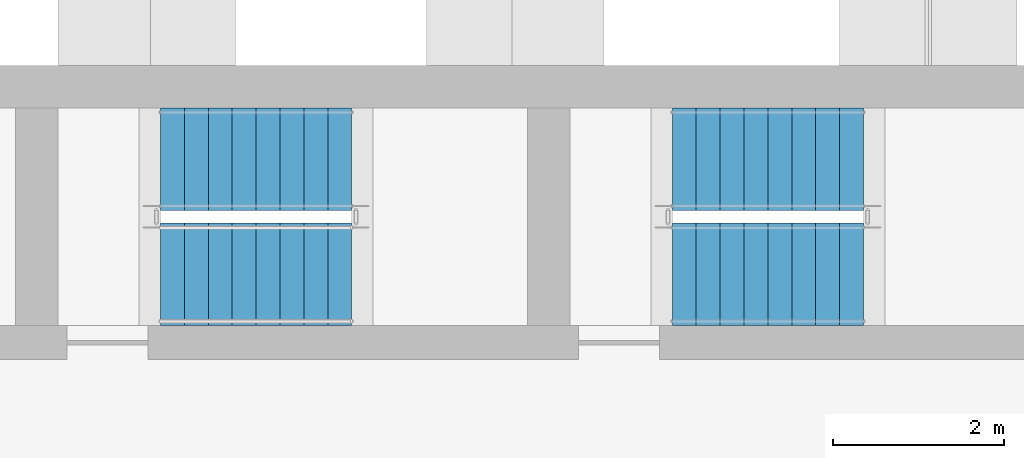
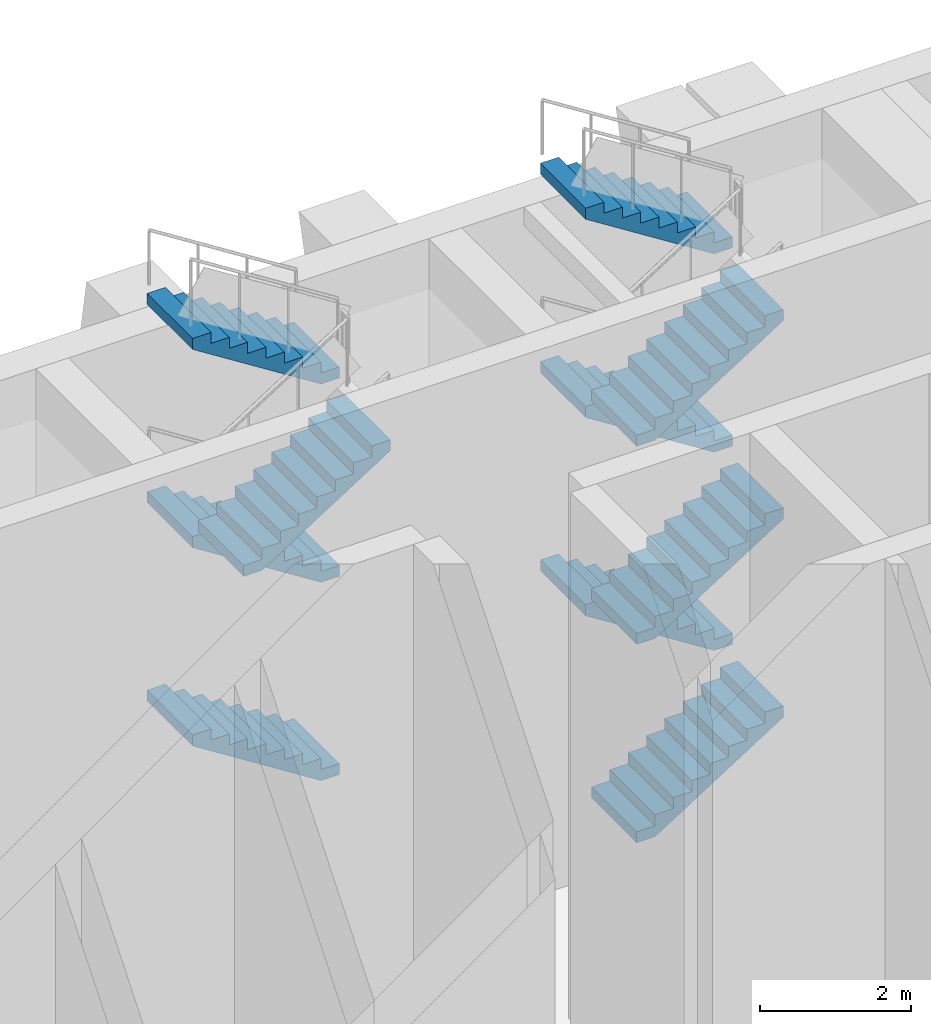
# One storey, part 5 of 9: 10 stair flights, 2 elements without a shape of their own.
"""IFC4 building model written with IfcOpenShell, lengths in metres."""

from ifc_helpers import new_model, si_unit, direction, frame, origin, place, context, subcontext, project, spatial, polyline, outline, extrude, material, type_object, element, aggregate, save


model = new_model("IFC4")

# Units and contexts
model_context = context("Model", 3, precision=1e-05, world=origin(), true_north=direction((0.0, 1.0)))
body_context = subcontext(model_context, "Body", "Model", "MODEL_VIEW")
ifc_project = project(units=[si_unit("LENGTHUNIT", "METRE"), si_unit("AREAUNIT", "SQUARE_METRE"), si_unit("VOLUMEUNIT", "CUBIC_METRE"), si_unit("PLANEANGLEUNIT", "RADIAN"), si_unit("MASSUNIT", "GRAM", prefix="KILO")], contexts=[model_context])

# Site, building, storey
site_placement = place(None, origin())
site = spatial("IfcSite", under=ifc_project, at=site_placement, CompositionType="ELEMENT")
building_placement = place(site_placement, origin())
building = spatial("IfcBuilding", under=site, at=building_placement, Name="Vidyagriha Tower", CompositionType="ELEMENT")
storey_placement = place(building_placement, frame((0.0, 0.0, 106.300048828125)))
storey = spatial("IfcBuildingStorey", under=building, at=storey_placement, Name="L28", CompositionType="ELEMENT", Elevation=106.300048828125)

# Stair, stair flights
ifc_material_1 = material(Name="Concrete C40/50", Category="concrete")
stair_type = type_object("IfcStairType", Name="Exit stair, half-turn, precast flights", PredefinedType="HALF_TURN_STAIR", material=ifc_material_1)
stair_1_placement = place(storey_placement, origin())
stair_1 = element("IfcStair", 1, at=stair_1_placement, inside=storey, type_object=stair_type, Name="L28 Exit Stair ST2", PredefinedType="HALF_TURN_STAIR")
ifc_material_2 = material(Name="Precast concrete C40/50", Category="concrete")
stair_flight_type = type_object("IfcStairFlightType", Name="Exit stair flight 1200 mm, precast", PredefinedType="STRAIGHT", material=ifc_material_2)
stair_flight_1_placement = place(storey_placement, frame((0.239990234375, 18.89990234375, 1.599853515625), z_axis=(0.0, 0.0, 1.0), x_axis=(-1.0, 0.0, 0.0)))
stair_flight_1 = element("IfcStairFlight", 2, at=stair_flight_1_placement, type_object=stair_flight_type, Name="ST2 flight 2", NumberOfRisers=9, NumberOfTreads=8, PredefinedType="STRAIGHT", RiserHeight=0.177777778, TreadLength=0.28, context=body_context, shape_type="SweptSolid", body=[
    extrude(outline(polyline([(0.0, 0.0), (0.0, 0.177734375), (0.280029296875, 0.177734375), (0.280029296875, 0.35546875), (0.56005859375, 0.35546875), (0.56005859375, 0.533447265625), (0.840087890625, 0.533447265625), (0.840087890625, 0.711181640625), (1.1201171875, 0.711181640625), (1.1201171875, 0.888916015625), (1.39990234375, 0.888916015625), (1.39990234375, 1.066650390625), (1.679931640625, 1.066650390625), (1.679931640625, 1.244384765625), (1.9599609375, 1.244384765625), (1.9599609375, 1.422119140625), (2.239990234375, 1.422119140625), (2.239990234375, 1.60009765625), (2.239990234375, 1.24462890625), (0.27978515625, 0.0), (0.0, 0.0)])), frame((0.0, 0.60009765625, 0.0), z_axis=(0.0, -1.0, 0.0), x_axis=(1.0, 0.0, 0.0)), (0.0, 0.0, 1.0), 1.199951171875),
])
stair_flight_2_placement = place(storey_placement, frame((0.239990234375, 18.89990234375, 4.800048828125), z_axis=(0.0, 0.0, 1.0), x_axis=(-1.0, 0.0, 0.0)))
stair_flight_2 = element("IfcStairFlight", 3, at=stair_flight_2_placement, type_object=stair_flight_type, Name="ST2 flight 4", NumberOfRisers=9, NumberOfTreads=8, PredefinedType="STRAIGHT", RiserHeight=0.177777778, TreadLength=0.28, context=body_context, shape_type="SweptSolid", body=[
    extrude(outline(polyline([(0.0, 0.0), (0.0, 0.177734375), (0.280029296875, 0.177734375), (0.280029296875, 0.35546875), (0.56005859375, 0.35546875), (0.56005859375, 0.533447265625), (0.840087890625, 0.533447265625), (0.840087890625, 0.711181640625), (1.1201171875, 0.711181640625), (1.1201171875, 0.888916015625), (1.39990234375, 0.888916015625), (1.39990234375, 1.066650390625), (1.679931640625, 1.066650390625), (1.679931640625, 1.244384765625), (1.9599609375, 1.244384765625), (1.9599609375, 1.422119140625), (2.239990234375, 1.422119140625), (2.239990234375, 1.60009765625), (2.239990234375, 1.24462890625), (0.27978515625, 0.0), (0.0, 0.0)])), frame((0.0, 0.60009765625, 0.0), z_axis=(0.0, -1.0, 0.0), x_axis=(1.0, 0.0, 0.0)), (0.0, 0.0, 1.0), 1.199951171875),
])
stair_flight_3_placement = place(storey_placement, frame((-2.0, 17.550048828125, 6.39990234375)))
stair_flight_3 = element("IfcStairFlight", 4, at=stair_flight_3_placement, type_object=stair_flight_type, Name="ST2 flight 5", NumberOfRisers=9, NumberOfTreads=8, PredefinedType="STRAIGHT", RiserHeight=0.177777778, TreadLength=0.28, context=body_context, shape_type="SweptSolid", body=[
    extrude(outline(polyline([(0.0, 0.0), (0.0, 0.177734375), (0.280029296875, 0.177734375), (0.280029296875, 0.35546875), (0.56005859375, 0.35546875), (0.56005859375, 0.533447265625), (0.840087890625, 0.533447265625), (0.840087890625, 0.711181640625), (1.1201171875, 0.711181640625), (1.1201171875, 0.888916015625), (1.39990234375, 0.888916015625), (1.39990234375, 1.066650390625), (1.679931640625, 1.066650390625), (1.679931640625, 1.244384765625), (1.9599609375, 1.244384765625), (1.9599609375, 1.422119140625), (2.239990234375, 1.422119140625), (2.239990234375, 1.60009765625), (2.239990234375, 1.24462890625), (0.27978515625, 0.0), (0.0, 0.0)])), frame((0.0, 0.60009765625, 0.0), z_axis=(0.0, -1.0, 0.0), x_axis=(1.0, 0.0, 0.0)), (0.0, 0.0, 1.0), 1.199951171875),
])
stair_flight_4_placement = place(storey_placement, frame((0.239990234375, 18.89990234375, 8.0), z_axis=(0.0, 0.0, 1.0), x_axis=(-1.0, 0.0, 0.0)))
stair_flight_4 = element("IfcStairFlight", 5, at=stair_flight_4_placement, type_object=stair_flight_type, Name="ST2 flight 6", NumberOfRisers=9, NumberOfTreads=8, PredefinedType="STRAIGHT", RiserHeight=0.177777778, TreadLength=0.28, context=body_context, shape_type="SweptSolid", body=[
    extrude(outline(polyline([(0.0, 0.0), (0.0, 0.177734375), (0.280029296875, 0.177734375), (0.280029296875, 0.35546875), (0.56005859375, 0.35546875), (0.56005859375, 0.533447265625), (0.840087890625, 0.533447265625), (0.840087890625, 0.711181640625), (1.1201171875, 0.711181640625), (1.1201171875, 0.888916015625), (1.39990234375, 0.888916015625), (1.39990234375, 1.066650390625), (1.679931640625, 1.066650390625), (1.679931640625, 1.244384765625), (1.9599609375, 1.244384765625), (1.9599609375, 1.422119140625), (2.239990234375, 1.422119140625), (2.239990234375, 1.60009765625), (2.239990234375, 1.24462890625), (0.27978515625, 0.0), (0.0, 0.0)])), frame((0.0, 0.60009765625, 0.0), z_axis=(0.0, -1.0, 0.0), x_axis=(1.0, 0.0, 0.0)), (0.0, 0.0, 1.0), 1.199951171875),
])
aggregate(stair_1, [stair_flight_1, stair_flight_2, stair_flight_3, stair_flight_4])

stair_2_placement = place(storey_placement, origin())
stair_2 = element("IfcStair", 6, at=stair_2_placement, inside=storey, type_object=stair_type, Name="L28 Exit Stair ST3", PredefinedType="HALF_TURN_STAIR")
stair_flight_5_placement = place(storey_placement, frame((4.0, 17.550048828125, 0.0)))
stair_flight_5 = element("IfcStairFlight", 7, at=stair_flight_5_placement, type_object=stair_flight_type, Name="ST3 flight 1", NumberOfRisers=9, NumberOfTreads=8, PredefinedType="STRAIGHT", RiserHeight=0.177777778, TreadLength=0.28, context=body_context, shape_type="SweptSolid", body=[
    extrude(outline(polyline([(0.0, 0.0), (0.0, 0.177734375), (0.280029296875, 0.177734375), (0.280029296875, 0.35546875), (0.56005859375, 0.35546875), (0.56005859375, 0.533447265625), (0.840087890625, 0.533447265625), (0.840087890625, 0.711181640625), (1.1201171875, 0.711181640625), (1.1201171875, 0.888916015625), (1.39990234375, 0.888916015625), (1.39990234375, 1.066650390625), (1.679931640625, 1.066650390625), (1.679931640625, 1.244384765625), (1.9599609375, 1.244384765625), (1.9599609375, 1.422119140625), (2.239990234375, 1.422119140625), (2.239990234375, 1.60009765625), (2.239990234375, 1.24462890625), (0.27978515625, 0.0), (0.0, 0.0)])), frame((0.0, 0.60009765625, 0.0), z_axis=(0.0, -1.0, 0.0), x_axis=(1.0, 0.0, 0.0)), (0.0, 0.0, 1.0), 1.199951171875),
])
stair_flight_6_placement = place(storey_placement, frame((6.239990234375, 18.89990234375, 1.599853515625), z_axis=(0.0, 0.0, 1.0), x_axis=(-1.0, 0.0, 0.0)))
stair_flight_6 = element("IfcStairFlight", 8, at=stair_flight_6_placement, type_object=stair_flight_type, Name="ST3 flight 2", NumberOfRisers=9, NumberOfTreads=8, PredefinedType="STRAIGHT", RiserHeight=0.177777778, TreadLength=0.28, context=body_context, shape_type="SweptSolid", body=[
    extrude(outline(polyline([(0.0, 0.0), (0.0, 0.177734375), (0.280029296875, 0.177734375), (0.280029296875, 0.35546875), (0.56005859375, 0.35546875), (0.56005859375, 0.533447265625), (0.840087890625, 0.533447265625), (0.840087890625, 0.711181640625), (1.1201171875, 0.711181640625), (1.1201171875, 0.888916015625), (1.39990234375, 0.888916015625), (1.39990234375, 1.066650390625), (1.679931640625, 1.066650390625), (1.679931640625, 1.244384765625), (1.9599609375, 1.244384765625), (1.9599609375, 1.422119140625), (2.239990234375, 1.422119140625), (2.239990234375, 1.60009765625), (2.239990234375, 1.24462890625), (0.27978515625, 0.0), (0.0, 0.0)])), frame((0.0, 0.60009765625, 0.0), z_axis=(0.0, -1.0, 0.0), x_axis=(1.0, 0.0, 0.0)), (0.0, 0.0, 1.0), 1.199951171875),
])
stair_flight_7_placement = place(storey_placement, frame((4.0, 17.550048828125, 3.199951171875)))
stair_flight_7 = element("IfcStairFlight", 9, at=stair_flight_7_placement, type_object=stair_flight_type, Name="ST3 flight 3", NumberOfRisers=9, NumberOfTreads=8, PredefinedType="STRAIGHT", RiserHeight=0.177777778, TreadLength=0.28, context=body_context, shape_type="SweptSolid", body=[
    extrude(outline(polyline([(0.0, 0.0), (0.0, 0.177734375), (0.280029296875, 0.177734375), (0.280029296875, 0.35546875), (0.56005859375, 0.35546875), (0.56005859375, 0.533447265625), (0.840087890625, 0.533447265625), (0.840087890625, 0.711181640625), (1.1201171875, 0.711181640625), (1.1201171875, 0.888916015625), (1.39990234375, 0.888916015625), (1.39990234375, 1.066650390625), (1.679931640625, 1.066650390625), (1.679931640625, 1.244384765625), (1.9599609375, 1.244384765625), (1.9599609375, 1.422119140625), (2.239990234375, 1.422119140625), (2.239990234375, 1.60009765625), (2.239990234375, 1.24462890625), (0.27978515625, 0.0), (0.0, 0.0)])), frame((0.0, 0.60009765625, 0.0), z_axis=(0.0, -1.0, 0.0), x_axis=(1.0, 0.0, 0.0)), (0.0, 0.0, 1.0), 1.199951171875),
])
stair_flight_8_placement = place(storey_placement, frame((6.239990234375, 18.89990234375, 4.800048828125), z_axis=(0.0, 0.0, 1.0), x_axis=(-1.0, 0.0, 0.0)))
stair_flight_8 = element("IfcStairFlight", 10, at=stair_flight_8_placement, type_object=stair_flight_type, Name="ST3 flight 4", NumberOfRisers=9, NumberOfTreads=8, PredefinedType="STRAIGHT", RiserHeight=0.177777778, TreadLength=0.28, context=body_context, shape_type="SweptSolid", body=[
    extrude(outline(polyline([(0.0, 0.0), (0.0, 0.177734375), (0.280029296875, 0.177734375), (0.280029296875, 0.35546875), (0.56005859375, 0.35546875), (0.56005859375, 0.533447265625), (0.840087890625, 0.533447265625), (0.840087890625, 0.711181640625), (1.1201171875, 0.711181640625), (1.1201171875, 0.888916015625), (1.39990234375, 0.888916015625), (1.39990234375, 1.066650390625), (1.679931640625, 1.066650390625), (1.679931640625, 1.244384765625), (1.9599609375, 1.244384765625), (1.9599609375, 1.422119140625), (2.239990234375, 1.422119140625), (2.239990234375, 1.60009765625), (2.239990234375, 1.24462890625), (0.27978515625, 0.0), (0.0, 0.0)])), frame((0.0, 0.60009765625, 0.0), z_axis=(0.0, -1.0, 0.0), x_axis=(1.0, 0.0, 0.0)), (0.0, 0.0, 1.0), 1.199951171875),
])
stair_flight_9_placement = place(storey_placement, frame((4.0, 17.550048828125, 6.39990234375)))
stair_flight_9 = element("IfcStairFlight", 11, at=stair_flight_9_placement, type_object=stair_flight_type, Name="ST3 flight 5", NumberOfRisers=9, NumberOfTreads=8, PredefinedType="STRAIGHT", RiserHeight=0.177777778, TreadLength=0.28, context=body_context, shape_type="SweptSolid", body=[
    extrude(outline(polyline([(0.0, 0.0), (0.0, 0.177734375), (0.280029296875, 0.177734375), (0.280029296875, 0.35546875), (0.56005859375, 0.35546875), (0.56005859375, 0.533447265625), (0.840087890625, 0.533447265625), (0.840087890625, 0.711181640625), (1.1201171875, 0.711181640625), (1.1201171875, 0.888916015625), (1.39990234375, 0.888916015625), (1.39990234375, 1.066650390625), (1.679931640625, 1.066650390625), (1.679931640625, 1.244384765625), (1.9599609375, 1.244384765625), (1.9599609375, 1.422119140625), (2.239990234375, 1.422119140625), (2.239990234375, 1.60009765625), (2.239990234375, 1.24462890625), (0.27978515625, 0.0), (0.0, 0.0)])), frame((0.0, 0.60009765625, 0.0), z_axis=(0.0, -1.0, 0.0), x_axis=(1.0, 0.0, 0.0)), (0.0, 0.0, 1.0), 1.199951171875),
])
stair_flight_10_placement = place(storey_placement, frame((6.239990234375, 18.89990234375, 8.0), z_axis=(0.0, 0.0, 1.0), x_axis=(-1.0, 0.0, 0.0)))
stair_flight_10 = element("IfcStairFlight", 12, at=stair_flight_10_placement, type_object=stair_flight_type, Name="ST3 flight 6", NumberOfRisers=9, NumberOfTreads=8, PredefinedType="STRAIGHT", RiserHeight=0.177777778, TreadLength=0.28, context=body_context, shape_type="SweptSolid", body=[
    extrude(outline(polyline([(0.0, 0.0), (0.0, 0.177734375), (0.280029296875, 0.177734375), (0.280029296875, 0.35546875), (0.56005859375, 0.35546875), (0.56005859375, 0.533447265625), (0.840087890625, 0.533447265625), (0.840087890625, 0.711181640625), (1.1201171875, 0.711181640625), (1.1201171875, 0.888916015625), (1.39990234375, 0.888916015625), (1.39990234375, 1.066650390625), (1.679931640625, 1.066650390625), (1.679931640625, 1.244384765625), (1.9599609375, 1.244384765625), (1.9599609375, 1.422119140625), (2.239990234375, 1.422119140625), (2.239990234375, 1.60009765625), (2.239990234375, 1.24462890625), (0.27978515625, 0.0), (0.0, 0.0)])), frame((0.0, 0.60009765625, 0.0), z_axis=(0.0, -1.0, 0.0), x_axis=(1.0, 0.0, 0.0)), (0.0, 0.0, 1.0), 1.199951171875),
])
aggregate(stair_2, [stair_flight_5, stair_flight_6, stair_flight_7, stair_flight_8, stair_flight_9, stair_flight_10])

save(model, "model.ifc")
